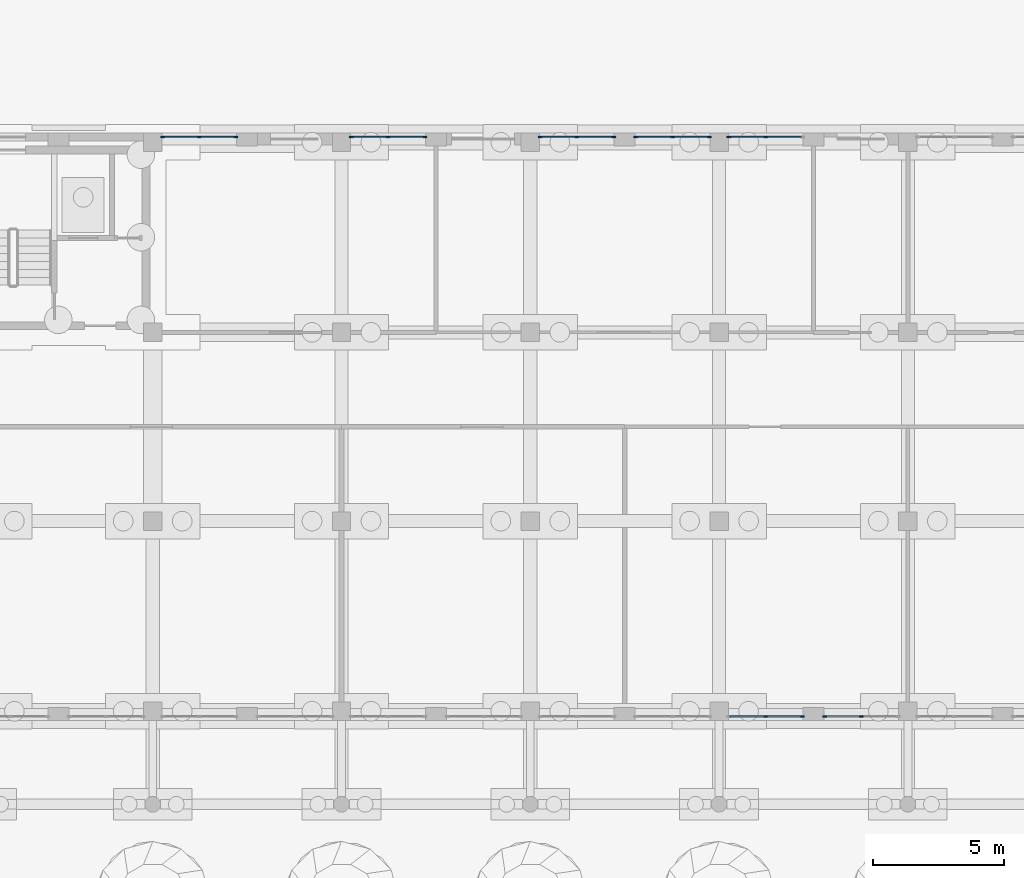
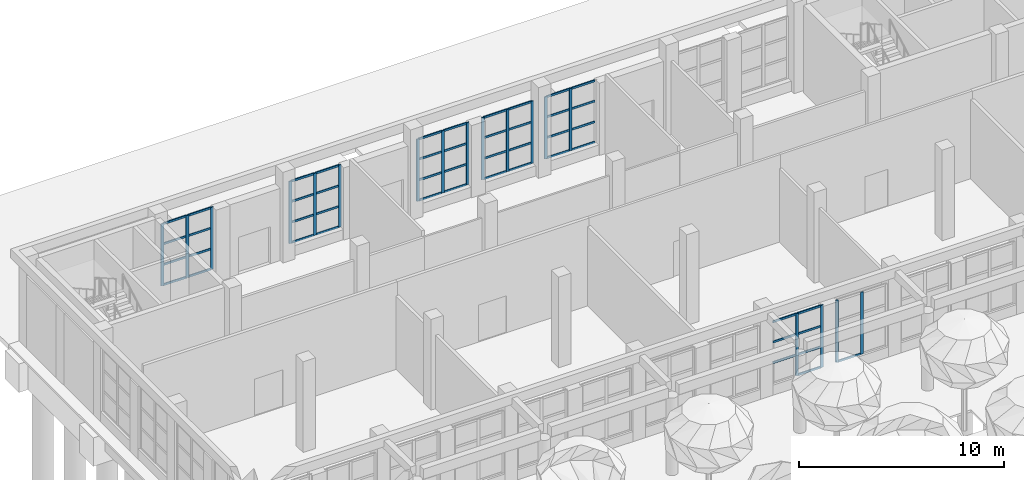
# One storey, part 23 of 80: 66 members, 7 elements without a shape of their own.
"""IFC4 building model written with IfcOpenShell, lengths in metres."""

from ifc_helpers import new_model, si_unit, direction, frame, origin, origin_2d, place, context, subcontext, project, spatial, rectangle, extrude, material, layer, layer_set, material_profile, profile_set, type_object, element, aggregate, save


model = new_model("IFC4")

# Units and contexts
model_context = context("Model", 3, precision=1e-05, world=origin(), true_north=direction((0.0, 1.0)))
body_context = subcontext(model_context, "Body", "Model", "MODEL_VIEW")
ifc_project = project(units=[si_unit("LENGTHUNIT", "METRE"), si_unit("AREAUNIT", "SQUARE_METRE"), si_unit("VOLUMEUNIT", "CUBIC_METRE"), si_unit("PLANEANGLEUNIT", "RADIAN"), si_unit("MASSUNIT", "GRAM", prefix="KILO")], contexts=[model_context])

# Site, building, storey
site_placement = place(None, origin())
site = spatial("IfcSite", under=ifc_project, at=site_placement, CompositionType="ELEMENT")
building_placement = place(site_placement, origin())
building = spatial("IfcBuilding", under=site, at=building_placement, Name="Ussher Court Research Institute", CompositionType="ELEMENT")
storey_placement = place(building_placement, origin())
storey = spatial("IfcBuildingStorey", under=building, at=storey_placement, Name="L00", CompositionType="ELEMENT", Elevation=0.0)

# Curtain wall, members
ifc_material_1 = material(Name="Bronze anodised aluminium with laminated safety glass", Category="aluminium")
ifc_layer = layer(ifc_material_1, 0.1201171875)
ifc_layer_set = layer_set([ifc_layer], Name="Bronze anodised aluminium with laminated safety glass")
curtain_wall_type = type_object("IfcCurtainWallType", Name="Curtain wall dry laboratory base storefront", PredefinedType="NOTDEFINED", material=ifc_layer_set)
curtain_wall_1_placement = place(storey_placement, origin())
curtain_wall_1 = element("IfcCurtainWall", 1, at=curtain_wall_1_placement, inside=storey, type_object=curtain_wall_type, Name="Curtain wall CW4 L00", PredefinedType="NOTDEFINED")
ifc_material_2 = material(Name="Bronze anodised aluminium", Category="aluminium")
ifc_material_profile_1 = material_profile(ifc_material_2, rectangle(XDim=0.06005859375, YDim=0.159912109375, at=origin_2d()), Name="Mullion 60x160")
ifc_profile_set_1 = profile_set([ifc_material_profile_1], Name="Bronze anodised aluminium")
member_type_1 = type_object("IfcMemberType", Name="Mullion 60x160", PredefinedType="MULLION", material=ifc_profile_set_1)
member_1_placement = place(storey_placement, frame((10.580078125, 90.64990234375, 0.60009765625), z_axis=(0.0, 0.0, 1.0), x_axis=(0.0, 1.0, 0.0)))
member_1 = element("IfcMember", 2, at=member_1_placement, type_object=member_type_1, Name="CW4 mullion 1", PredefinedType="MULLION", context=body_context, shape_type="SweptSolid", body=[
    extrude(rectangle(XDim=0.06005859375, YDim=0.159912109375, at=origin_2d()), origin(), (0.0, 0.0, 1.0), 3.699951171875),
])
member_2_placement = place(storey_placement, frame((11.97509765625, 90.64990234375, 0.60009765625), z_axis=(0.0, 0.0, 1.0), x_axis=(0.0, 1.0, 0.0)))
member_2 = element("IfcMember", 3, at=member_2_placement, type_object=member_type_1, Name="CW4 mullion 2", PredefinedType="MULLION", context=body_context, shape_type="SweptSolid", body=[
    extrude(rectangle(XDim=0.06005859375, YDim=0.159912109375, at=origin_2d()), origin(), (0.0, 0.0, 1.0), 3.699951171875),
])
member_3_placement = place(storey_placement, frame((13.3701171875, 90.64990234375, 0.60009765625), z_axis=(0.0, 0.0, 1.0), x_axis=(0.0, 1.0, 0.0)))
member_3 = element("IfcMember", 4, at=member_3_placement, type_object=member_type_1, Name="CW4 mullion 3", PredefinedType="MULLION", context=body_context, shape_type="SweptSolid", body=[
    extrude(rectangle(XDim=0.06005859375, YDim=0.159912109375, at=origin_2d()), origin(), (0.0, 0.0, 1.0), 3.699951171875),
])

curtain_wall_2_placement = place(storey_placement, origin())
curtain_wall_2 = element("IfcCurtainWall", 5, at=curtain_wall_2_placement, inside=storey, type_object=curtain_wall_type, Name="Curtain wall CW4 L00", PredefinedType="NOTDEFINED")
member_4_placement = place(storey_placement, frame((17.780029296875, 90.64990234375, 0.60009765625), z_axis=(0.0, 0.0, 1.0), x_axis=(0.0, 1.0, 0.0)))
member_4 = element("IfcMember", 6, at=member_4_placement, type_object=member_type_1, Name="CW4 mullion 1", PredefinedType="MULLION", context=body_context, shape_type="SweptSolid", body=[
    extrude(rectangle(XDim=0.06005859375, YDim=0.159912109375, at=origin_2d()), origin(), (0.0, 0.0, 1.0), 3.699951171875),
])
member_5_placement = place(storey_placement, frame((19.175048828125, 90.64990234375, 0.60009765625), z_axis=(0.0, 0.0, 1.0), x_axis=(0.0, 1.0, 0.0)))
member_5 = element("IfcMember", 7, at=member_5_placement, type_object=member_type_1, Name="CW4 mullion 2", PredefinedType="MULLION", context=body_context, shape_type="SweptSolid", body=[
    extrude(rectangle(XDim=0.06005859375, YDim=0.159912109375, at=origin_2d()), origin(), (0.0, 0.0, 1.0), 3.699951171875),
])
member_6_placement = place(storey_placement, frame((20.570068359375, 90.64990234375, 0.60009765625), z_axis=(0.0, 0.0, 1.0), x_axis=(0.0, 1.0, 0.0)))
member_6 = element("IfcMember", 8, at=member_6_placement, type_object=member_type_1, Name="CW4 mullion 3", PredefinedType="MULLION", context=body_context, shape_type="SweptSolid", body=[
    extrude(rectangle(XDim=0.06005859375, YDim=0.159912109375, at=origin_2d()), origin(), (0.0, 0.0, 1.0), 3.699951171875),
])

curtain_wall_3_placement = place(storey_placement, origin())
curtain_wall_3 = element("IfcCurtainWall", 9, at=curtain_wall_3_placement, inside=storey, type_object=curtain_wall_type, Name="Curtain wall CW4 L00", PredefinedType="NOTDEFINED")
member_7_placement = place(storey_placement, frame((24.97998046875, 90.64990234375, 0.60009765625), z_axis=(0.0, 0.0, 1.0), x_axis=(0.0, 1.0, 0.0)))
member_7 = element("IfcMember", 10, at=member_7_placement, type_object=member_type_1, Name="CW4 mullion 1", PredefinedType="MULLION", context=body_context, shape_type="SweptSolid", body=[
    extrude(rectangle(XDim=0.06005859375, YDim=0.159912109375, at=origin_2d()), origin(), (0.0, 0.0, 1.0), 3.699951171875),
])
member_8_placement = place(storey_placement, frame((26.375, 90.64990234375, 0.60009765625), z_axis=(0.0, 0.0, 1.0), x_axis=(0.0, 1.0, 0.0)))
member_8 = element("IfcMember", 11, at=member_8_placement, type_object=member_type_1, Name="CW4 mullion 2", PredefinedType="MULLION", context=body_context, shape_type="SweptSolid", body=[
    extrude(rectangle(XDim=0.06005859375, YDim=0.159912109375, at=origin_2d()), origin(), (0.0, 0.0, 1.0), 3.699951171875),
])
member_9_placement = place(storey_placement, frame((27.77001953125, 90.64990234375, 0.60009765625), z_axis=(0.0, 0.0, 1.0), x_axis=(0.0, 1.0, 0.0)))
member_9 = element("IfcMember", 12, at=member_9_placement, type_object=member_type_1, Name="CW4 mullion 3", PredefinedType="MULLION", context=body_context, shape_type="SweptSolid", body=[
    extrude(rectangle(XDim=0.06005859375, YDim=0.159912109375, at=origin_2d()), origin(), (0.0, 0.0, 1.0), 3.699951171875),
])

curtain_wall_4_placement = place(storey_placement, origin())
curtain_wall_4 = element("IfcCurtainWall", 13, at=curtain_wall_4_placement, inside=storey, type_object=curtain_wall_type, Name="Curtain wall CW4 L00", PredefinedType="NOTDEFINED")
member_10_placement = place(storey_placement, frame((28.6298828125, 90.64990234375, 0.60009765625), z_axis=(0.0, 0.0, 1.0), x_axis=(0.0, 1.0, 0.0)))
member_10 = element("IfcMember", 14, at=member_10_placement, type_object=member_type_1, Name="CW4 mullion 1", PredefinedType="MULLION", context=body_context, shape_type="SweptSolid", body=[
    extrude(rectangle(XDim=0.06005859375, YDim=0.159912109375, at=origin_2d()), origin(), (0.0, 0.0, 1.0), 3.699951171875),
])
member_11_placement = place(storey_placement, frame((30.02490234375, 90.64990234375, 0.60009765625), z_axis=(0.0, 0.0, 1.0), x_axis=(0.0, 1.0, 0.0)))
member_11 = element("IfcMember", 15, at=member_11_placement, type_object=member_type_1, Name="CW4 mullion 2", PredefinedType="MULLION", context=body_context, shape_type="SweptSolid", body=[
    extrude(rectangle(XDim=0.06005859375, YDim=0.159912109375, at=origin_2d()), origin(), (0.0, 0.0, 1.0), 3.699951171875),
])
member_12_placement = place(storey_placement, frame((31.419921875, 90.64990234375, 0.60009765625), z_axis=(0.0, 0.0, 1.0), x_axis=(0.0, 1.0, 0.0)))
member_12 = element("IfcMember", 16, at=member_12_placement, type_object=member_type_1, Name="CW4 mullion 3", PredefinedType="MULLION", context=body_context, shape_type="SweptSolid", body=[
    extrude(rectangle(XDim=0.06005859375, YDim=0.159912109375, at=origin_2d()), origin(), (0.0, 0.0, 1.0), 3.699951171875),
])

curtain_wall_5_placement = place(storey_placement, origin())
curtain_wall_5 = element("IfcCurtainWall", 17, at=curtain_wall_5_placement, inside=storey, type_object=curtain_wall_type, Name="Curtain wall CW4 L00", PredefinedType="NOTDEFINED")
member_13_placement = place(storey_placement, frame((32.179931640625, 90.64990234375, 0.60009765625), z_axis=(0.0, 0.0, 1.0), x_axis=(0.0, 1.0, 0.0)))
member_13 = element("IfcMember", 18, at=member_13_placement, type_object=member_type_1, Name="CW4 mullion 1", PredefinedType="MULLION", context=body_context, shape_type="SweptSolid", body=[
    extrude(rectangle(XDim=0.06005859375, YDim=0.159912109375, at=origin_2d()), origin(), (0.0, 0.0, 1.0), 3.699951171875),
])
member_14_placement = place(storey_placement, frame((33.574951171875, 90.64990234375, 0.60009765625), z_axis=(0.0, 0.0, 1.0), x_axis=(0.0, 1.0, 0.0)))
member_14 = element("IfcMember", 19, at=member_14_placement, type_object=member_type_1, Name="CW4 mullion 2", PredefinedType="MULLION", context=body_context, shape_type="SweptSolid", body=[
    extrude(rectangle(XDim=0.06005859375, YDim=0.159912109375, at=origin_2d()), origin(), (0.0, 0.0, 1.0), 3.699951171875),
])

curtain_wall_6_placement = place(storey_placement, origin())
curtain_wall_6 = element("IfcCurtainWall", 20, at=curtain_wall_6_placement, inside=storey, type_object=curtain_wall_type, Name="Curtain wall CW4 L00", PredefinedType="NOTDEFINED")
member_15_placement = place(storey_placement, frame((37.22509765625, 68.550048828125, 0.60009765625), z_axis=(0.0, 0.0, 1.0), x_axis=(0.0, -1.0, 0.0)))
member_15 = element("IfcMember", 21, at=member_15_placement, type_object=member_type_1, Name="CW4 mullion 2", PredefinedType="MULLION", context=body_context, shape_type="SweptSolid", body=[
    extrude(rectangle(XDim=0.06005859375, YDim=0.159912109375, at=origin_2d()), origin(), (0.0, 0.0, 1.0), 3.699951171875),
])
member_16_placement = place(storey_placement, frame((35.830078125, 68.550048828125, 0.60009765625), z_axis=(0.0, 0.0, 1.0), x_axis=(0.0, -1.0, 0.0)))
member_16 = element("IfcMember", 22, at=member_16_placement, type_object=member_type_1, Name="CW4 mullion 3", PredefinedType="MULLION", context=body_context, shape_type="SweptSolid", body=[
    extrude(rectangle(XDim=0.06005859375, YDim=0.159912109375, at=origin_2d()), origin(), (0.0, 0.0, 1.0), 3.699951171875),
])

curtain_wall_7_placement = place(storey_placement, origin())
curtain_wall_7 = element("IfcCurtainWall", 23, at=curtain_wall_7_placement, inside=storey, type_object=curtain_wall_type, Name="Curtain wall CW4 L00", PredefinedType="NOTDEFINED")
member_17_placement = place(storey_placement, frame((34.969970703125, 68.550048828125, 0.60009765625), z_axis=(0.0, 0.0, 1.0), x_axis=(0.0, -1.0, 0.0)))
member_17 = element("IfcMember", 24, at=member_17_placement, type_object=member_type_1, Name="CW4 mullion 1", PredefinedType="MULLION", context=body_context, shape_type="SweptSolid", body=[
    extrude(rectangle(XDim=0.06005859375, YDim=0.159912109375, at=origin_2d()), origin(), (0.0, 0.0, 1.0), 3.699951171875),
])
member_18_placement = place(storey_placement, frame((33.574951171875, 68.550048828125, 0.60009765625), z_axis=(0.0, 0.0, 1.0), x_axis=(0.0, -1.0, 0.0)))
member_18 = element("IfcMember", 25, at=member_18_placement, type_object=member_type_1, Name="CW4 mullion 2", PredefinedType="MULLION", context=body_context, shape_type="SweptSolid", body=[
    extrude(rectangle(XDim=0.06005859375, YDim=0.159912109375, at=origin_2d()), origin(), (0.0, 0.0, 1.0), 3.699951171875),
])

# Member
ifc_material_3 = material(Name="Bronze anodised aluminium", Category="aluminium")
ifc_material_profile_2 = material_profile(ifc_material_3, rectangle(XDim=0.06005859375, YDim=0.1201171875, at=origin_2d()), Name="Transom 60x120")
ifc_profile_set_2 = profile_set([ifc_material_profile_2], Name="Bronze anodised aluminium")
member_type_2 = type_object("IfcMemberType", Name="Transom 60x120", PredefinedType="USERDEFINED", material=ifc_profile_set_2)
member_19_placement = place(storey_placement, frame((10.610107421875, 90.64990234375, 0.6298828125), z_axis=(1.0, 0.0, 0.0), x_axis=(0.0, 1.0, 0.0)))
member_19 = element("IfcMember", 26, at=member_19_placement, type_object=member_type_2, Name="CW4 transom 1.1", ObjectType="TRANSOM", PredefinedType="USERDEFINED", context=body_context, shape_type="SweptSolid", body=[
    extrude(rectangle(XDim=0.06005859375, YDim=0.1201171875, at=origin_2d()), origin(), (0.0, 0.0, 1.0), 1.3349609375),
])

member_20_placement = place(storey_placement, frame((10.610107421875, 90.64990234375, 1.833251953125), z_axis=(1.0, 0.0, 0.0), x_axis=(0.0, 1.0, 0.0)))
member_20 = element("IfcMember", 27, at=member_20_placement, type_object=member_type_2, Name="CW4 transom 1.2", ObjectType="TRANSOM", PredefinedType="USERDEFINED", context=body_context, shape_type="SweptSolid", body=[
    extrude(rectangle(XDim=0.06005859375, YDim=0.1201171875, at=origin_2d()), origin(), (0.0, 0.0, 1.0), 1.3349609375),
])

member_21_placement = place(storey_placement, frame((10.610107421875, 90.64990234375, 3.066650390625), z_axis=(1.0, 0.0, 0.0), x_axis=(0.0, 1.0, 0.0)))
member_21 = element("IfcMember", 28, at=member_21_placement, type_object=member_type_2, Name="CW4 transom 1.3", ObjectType="TRANSOM", PredefinedType="USERDEFINED", context=body_context, shape_type="SweptSolid", body=[
    extrude(rectangle(XDim=0.06005859375, YDim=0.1201171875, at=origin_2d()), origin(), (0.0, 0.0, 1.0), 1.3349609375),
])

member_22_placement = place(storey_placement, frame((10.610107421875, 90.64990234375, 4.27001953125), z_axis=(1.0, 0.0, 0.0), x_axis=(0.0, 1.0, 0.0)))
member_22 = element("IfcMember", 29, at=member_22_placement, type_object=member_type_2, Name="CW4 transom 1.4", ObjectType="TRANSOM", PredefinedType="USERDEFINED", context=body_context, shape_type="SweptSolid", body=[
    extrude(rectangle(XDim=0.06005859375, YDim=0.1201171875, at=origin_2d()), origin(), (0.0, 0.0, 1.0), 1.3349609375),
])

member_23_placement = place(storey_placement, frame((12.0048828125, 90.64990234375, 0.6298828125), z_axis=(1.0, 0.0, 0.0), x_axis=(0.0, 1.0, 0.0)))
member_23 = element("IfcMember", 30, at=member_23_placement, type_object=member_type_2, Name="CW4 transom 2.1", ObjectType="TRANSOM", PredefinedType="USERDEFINED", context=body_context, shape_type="SweptSolid", body=[
    extrude(rectangle(XDim=0.06005859375, YDim=0.1201171875, at=origin_2d()), origin(), (0.0, 0.0, 1.0), 1.335205078125),
])

member_24_placement = place(storey_placement, frame((12.0048828125, 90.64990234375, 1.833251953125), z_axis=(1.0, 0.0, 0.0), x_axis=(0.0, 1.0, 0.0)))
member_24 = element("IfcMember", 31, at=member_24_placement, type_object=member_type_2, Name="CW4 transom 2.2", ObjectType="TRANSOM", PredefinedType="USERDEFINED", context=body_context, shape_type="SweptSolid", body=[
    extrude(rectangle(XDim=0.06005859375, YDim=0.1201171875, at=origin_2d()), origin(), (0.0, 0.0, 1.0), 1.335205078125),
])

member_25_placement = place(storey_placement, frame((12.0048828125, 90.64990234375, 3.066650390625), z_axis=(1.0, 0.0, 0.0), x_axis=(0.0, 1.0, 0.0)))
member_25 = element("IfcMember", 32, at=member_25_placement, type_object=member_type_2, Name="CW4 transom 2.3", ObjectType="TRANSOM", PredefinedType="USERDEFINED", context=body_context, shape_type="SweptSolid", body=[
    extrude(rectangle(XDim=0.06005859375, YDim=0.1201171875, at=origin_2d()), origin(), (0.0, 0.0, 1.0), 1.335205078125),
])

member_26_placement = place(storey_placement, frame((12.0048828125, 90.64990234375, 4.27001953125), z_axis=(1.0, 0.0, 0.0), x_axis=(0.0, 1.0, 0.0)))
member_26 = element("IfcMember", 33, at=member_26_placement, type_object=member_type_2, Name="CW4 transom 2.4", ObjectType="TRANSOM", PredefinedType="USERDEFINED", context=body_context, shape_type="SweptSolid", body=[
    extrude(rectangle(XDim=0.06005859375, YDim=0.1201171875, at=origin_2d()), origin(), (0.0, 0.0, 1.0), 1.335205078125),
])

aggregate(curtain_wall_1, [member_1, member_2, member_3, member_19, member_20, member_21, member_22, member_23, member_24, member_25, member_26])

member_27_placement = place(storey_placement, frame((17.81005859375, 90.64990234375, 0.6298828125), z_axis=(1.0, 0.0, 0.0), x_axis=(0.0, 1.0, 0.0)))
member_27 = element("IfcMember", 34, at=member_27_placement, type_object=member_type_2, Name="CW4 transom 1.1", ObjectType="TRANSOM", PredefinedType="USERDEFINED", context=body_context, shape_type="SweptSolid", body=[
    extrude(rectangle(XDim=0.06005859375, YDim=0.1201171875, at=origin_2d()), origin(), (0.0, 0.0, 1.0), 1.3349609375),
])

member_28_placement = place(storey_placement, frame((17.81005859375, 90.64990234375, 1.833251953125), z_axis=(1.0, 0.0, 0.0), x_axis=(0.0, 1.0, 0.0)))
member_28 = element("IfcMember", 35, at=member_28_placement, type_object=member_type_2, Name="CW4 transom 1.2", ObjectType="TRANSOM", PredefinedType="USERDEFINED", context=body_context, shape_type="SweptSolid", body=[
    extrude(rectangle(XDim=0.06005859375, YDim=0.1201171875, at=origin_2d()), origin(), (0.0, 0.0, 1.0), 1.3349609375),
])

member_29_placement = place(storey_placement, frame((17.81005859375, 90.64990234375, 3.066650390625), z_axis=(1.0, 0.0, 0.0), x_axis=(0.0, 1.0, 0.0)))
member_29 = element("IfcMember", 36, at=member_29_placement, type_object=member_type_2, Name="CW4 transom 1.3", ObjectType="TRANSOM", PredefinedType="USERDEFINED", context=body_context, shape_type="SweptSolid", body=[
    extrude(rectangle(XDim=0.06005859375, YDim=0.1201171875, at=origin_2d()), origin(), (0.0, 0.0, 1.0), 1.3349609375),
])

member_30_placement = place(storey_placement, frame((17.81005859375, 90.64990234375, 4.27001953125), z_axis=(1.0, 0.0, 0.0), x_axis=(0.0, 1.0, 0.0)))
member_30 = element("IfcMember", 37, at=member_30_placement, type_object=member_type_2, Name="CW4 transom 1.4", ObjectType="TRANSOM", PredefinedType="USERDEFINED", context=body_context, shape_type="SweptSolid", body=[
    extrude(rectangle(XDim=0.06005859375, YDim=0.1201171875, at=origin_2d()), origin(), (0.0, 0.0, 1.0), 1.3349609375),
])

member_31_placement = place(storey_placement, frame((19.205078125, 90.64990234375, 0.6298828125), z_axis=(1.0, 0.0, 0.0), x_axis=(0.0, 1.0, 0.0)))
member_31 = element("IfcMember", 38, at=member_31_placement, type_object=member_type_2, Name="CW4 transom 2.1", ObjectType="TRANSOM", PredefinedType="USERDEFINED", context=body_context, shape_type="SweptSolid", body=[
    extrude(rectangle(XDim=0.06005859375, YDim=0.1201171875, at=origin_2d()), origin(), (0.0, 0.0, 1.0), 1.3349609375),
])

member_32_placement = place(storey_placement, frame((19.205078125, 90.64990234375, 1.833251953125), z_axis=(1.0, 0.0, 0.0), x_axis=(0.0, 1.0, 0.0)))
member_32 = element("IfcMember", 39, at=member_32_placement, type_object=member_type_2, Name="CW4 transom 2.2", ObjectType="TRANSOM", PredefinedType="USERDEFINED", context=body_context, shape_type="SweptSolid", body=[
    extrude(rectangle(XDim=0.06005859375, YDim=0.1201171875, at=origin_2d()), origin(), (0.0, 0.0, 1.0), 1.3349609375),
])

member_33_placement = place(storey_placement, frame((19.205078125, 90.64990234375, 3.066650390625), z_axis=(1.0, 0.0, 0.0), x_axis=(0.0, 1.0, 0.0)))
member_33 = element("IfcMember", 40, at=member_33_placement, type_object=member_type_2, Name="CW4 transom 2.3", ObjectType="TRANSOM", PredefinedType="USERDEFINED", context=body_context, shape_type="SweptSolid", body=[
    extrude(rectangle(XDim=0.06005859375, YDim=0.1201171875, at=origin_2d()), origin(), (0.0, 0.0, 1.0), 1.3349609375),
])

member_34_placement = place(storey_placement, frame((19.205078125, 90.64990234375, 4.27001953125), z_axis=(1.0, 0.0, 0.0), x_axis=(0.0, 1.0, 0.0)))
member_34 = element("IfcMember", 41, at=member_34_placement, type_object=member_type_2, Name="CW4 transom 2.4", ObjectType="TRANSOM", PredefinedType="USERDEFINED", context=body_context, shape_type="SweptSolid", body=[
    extrude(rectangle(XDim=0.06005859375, YDim=0.1201171875, at=origin_2d()), origin(), (0.0, 0.0, 1.0), 1.3349609375),
])

aggregate(curtain_wall_2, [member_4, member_5, member_6, member_27, member_28, member_29, member_30, member_31, member_32, member_33, member_34])

member_35_placement = place(storey_placement, frame((25.010009765625, 90.64990234375, 0.6298828125), z_axis=(1.0, 0.0, 0.0), x_axis=(0.0, 1.0, 0.0)))
member_35 = element("IfcMember", 42, at=member_35_placement, type_object=member_type_2, Name="CW4 transom 1.1", ObjectType="TRANSOM", PredefinedType="USERDEFINED", context=body_context, shape_type="SweptSolid", body=[
    extrude(rectangle(XDim=0.06005859375, YDim=0.1201171875, at=origin_2d()), origin(), (0.0, 0.0, 1.0), 1.3349609375),
])

member_36_placement = place(storey_placement, frame((25.010009765625, 90.64990234375, 1.833251953125), z_axis=(1.0, 0.0, 0.0), x_axis=(0.0, 1.0, 0.0)))
member_36 = element("IfcMember", 43, at=member_36_placement, type_object=member_type_2, Name="CW4 transom 1.2", ObjectType="TRANSOM", PredefinedType="USERDEFINED", context=body_context, shape_type="SweptSolid", body=[
    extrude(rectangle(XDim=0.06005859375, YDim=0.1201171875, at=origin_2d()), origin(), (0.0, 0.0, 1.0), 1.3349609375),
])

member_37_placement = place(storey_placement, frame((25.010009765625, 90.64990234375, 3.066650390625), z_axis=(1.0, 0.0, 0.0), x_axis=(0.0, 1.0, 0.0)))
member_37 = element("IfcMember", 44, at=member_37_placement, type_object=member_type_2, Name="CW4 transom 1.3", ObjectType="TRANSOM", PredefinedType="USERDEFINED", context=body_context, shape_type="SweptSolid", body=[
    extrude(rectangle(XDim=0.06005859375, YDim=0.1201171875, at=origin_2d()), origin(), (0.0, 0.0, 1.0), 1.3349609375),
])

member_38_placement = place(storey_placement, frame((25.010009765625, 90.64990234375, 4.27001953125), z_axis=(1.0, 0.0, 0.0), x_axis=(0.0, 1.0, 0.0)))
member_38 = element("IfcMember", 45, at=member_38_placement, type_object=member_type_2, Name="CW4 transom 1.4", ObjectType="TRANSOM", PredefinedType="USERDEFINED", context=body_context, shape_type="SweptSolid", body=[
    extrude(rectangle(XDim=0.06005859375, YDim=0.1201171875, at=origin_2d()), origin(), (0.0, 0.0, 1.0), 1.3349609375),
])

member_39_placement = place(storey_placement, frame((26.405029296875, 90.64990234375, 0.6298828125), z_axis=(1.0, 0.0, 0.0), x_axis=(0.0, 1.0, 0.0)))
member_39 = element("IfcMember", 46, at=member_39_placement, type_object=member_type_2, Name="CW4 transom 2.1", ObjectType="TRANSOM", PredefinedType="USERDEFINED", context=body_context, shape_type="SweptSolid", body=[
    extrude(rectangle(XDim=0.06005859375, YDim=0.1201171875, at=origin_2d()), origin(), (0.0, 0.0, 1.0), 1.3349609375),
])

member_40_placement = place(storey_placement, frame((26.405029296875, 90.64990234375, 1.833251953125), z_axis=(1.0, 0.0, 0.0), x_axis=(0.0, 1.0, 0.0)))
member_40 = element("IfcMember", 47, at=member_40_placement, type_object=member_type_2, Name="CW4 transom 2.2", ObjectType="TRANSOM", PredefinedType="USERDEFINED", context=body_context, shape_type="SweptSolid", body=[
    extrude(rectangle(XDim=0.06005859375, YDim=0.1201171875, at=origin_2d()), origin(), (0.0, 0.0, 1.0), 1.3349609375),
])

member_41_placement = place(storey_placement, frame((26.405029296875, 90.64990234375, 3.066650390625), z_axis=(1.0, 0.0, 0.0), x_axis=(0.0, 1.0, 0.0)))
member_41 = element("IfcMember", 48, at=member_41_placement, type_object=member_type_2, Name="CW4 transom 2.3", ObjectType="TRANSOM", PredefinedType="USERDEFINED", context=body_context, shape_type="SweptSolid", body=[
    extrude(rectangle(XDim=0.06005859375, YDim=0.1201171875, at=origin_2d()), origin(), (0.0, 0.0, 1.0), 1.3349609375),
])

member_42_placement = place(storey_placement, frame((26.405029296875, 90.64990234375, 4.27001953125), z_axis=(1.0, 0.0, 0.0), x_axis=(0.0, 1.0, 0.0)))
member_42 = element("IfcMember", 49, at=member_42_placement, type_object=member_type_2, Name="CW4 transom 2.4", ObjectType="TRANSOM", PredefinedType="USERDEFINED", context=body_context, shape_type="SweptSolid", body=[
    extrude(rectangle(XDim=0.06005859375, YDim=0.1201171875, at=origin_2d()), origin(), (0.0, 0.0, 1.0), 1.3349609375),
])

aggregate(curtain_wall_3, [member_7, member_8, member_9, member_35, member_36, member_37, member_38, member_39, member_40, member_41, member_42])

member_43_placement = place(storey_placement, frame((28.659912109375, 90.64990234375, 0.6298828125), z_axis=(1.0, 0.0, 0.0), x_axis=(0.0, 1.0, 0.0)))
member_43 = element("IfcMember", 50, at=member_43_placement, type_object=member_type_2, Name="CW4 transom 1.1", ObjectType="TRANSOM", PredefinedType="USERDEFINED", context=body_context, shape_type="SweptSolid", body=[
    extrude(rectangle(XDim=0.06005859375, YDim=0.1201171875, at=origin_2d()), origin(), (0.0, 0.0, 1.0), 1.335205078125),
])

member_44_placement = place(storey_placement, frame((28.659912109375, 90.64990234375, 1.833251953125), z_axis=(1.0, 0.0, 0.0), x_axis=(0.0, 1.0, 0.0)))
member_44 = element("IfcMember", 51, at=member_44_placement, type_object=member_type_2, Name="CW4 transom 1.2", ObjectType="TRANSOM", PredefinedType="USERDEFINED", context=body_context, shape_type="SweptSolid", body=[
    extrude(rectangle(XDim=0.06005859375, YDim=0.1201171875, at=origin_2d()), origin(), (0.0, 0.0, 1.0), 1.335205078125),
])

member_45_placement = place(storey_placement, frame((28.659912109375, 90.64990234375, 3.066650390625), z_axis=(1.0, 0.0, 0.0), x_axis=(0.0, 1.0, 0.0)))
member_45 = element("IfcMember", 52, at=member_45_placement, type_object=member_type_2, Name="CW4 transom 1.3", ObjectType="TRANSOM", PredefinedType="USERDEFINED", context=body_context, shape_type="SweptSolid", body=[
    extrude(rectangle(XDim=0.06005859375, YDim=0.1201171875, at=origin_2d()), origin(), (0.0, 0.0, 1.0), 1.335205078125),
])

member_46_placement = place(storey_placement, frame((28.659912109375, 90.64990234375, 4.27001953125), z_axis=(1.0, 0.0, 0.0), x_axis=(0.0, 1.0, 0.0)))
member_46 = element("IfcMember", 53, at=member_46_placement, type_object=member_type_2, Name="CW4 transom 1.4", ObjectType="TRANSOM", PredefinedType="USERDEFINED", context=body_context, shape_type="SweptSolid", body=[
    extrude(rectangle(XDim=0.06005859375, YDim=0.1201171875, at=origin_2d()), origin(), (0.0, 0.0, 1.0), 1.335205078125),
])

member_47_placement = place(storey_placement, frame((30.054931640625, 90.64990234375, 0.6298828125), z_axis=(1.0, 0.0, 0.0), x_axis=(0.0, 1.0, 0.0)))
member_47 = element("IfcMember", 54, at=member_47_placement, type_object=member_type_2, Name="CW4 transom 2.1", ObjectType="TRANSOM", PredefinedType="USERDEFINED", context=body_context, shape_type="SweptSolid", body=[
    extrude(rectangle(XDim=0.06005859375, YDim=0.1201171875, at=origin_2d()), origin(), (0.0, 0.0, 1.0), 1.3349609375),
])

member_48_placement = place(storey_placement, frame((30.054931640625, 90.64990234375, 1.833251953125), z_axis=(1.0, 0.0, 0.0), x_axis=(0.0, 1.0, 0.0)))
member_48 = element("IfcMember", 55, at=member_48_placement, type_object=member_type_2, Name="CW4 transom 2.2", ObjectType="TRANSOM", PredefinedType="USERDEFINED", context=body_context, shape_type="SweptSolid", body=[
    extrude(rectangle(XDim=0.06005859375, YDim=0.1201171875, at=origin_2d()), origin(), (0.0, 0.0, 1.0), 1.3349609375),
])

member_49_placement = place(storey_placement, frame((30.054931640625, 90.64990234375, 3.066650390625), z_axis=(1.0, 0.0, 0.0), x_axis=(0.0, 1.0, 0.0)))
member_49 = element("IfcMember", 56, at=member_49_placement, type_object=member_type_2, Name="CW4 transom 2.3", ObjectType="TRANSOM", PredefinedType="USERDEFINED", context=body_context, shape_type="SweptSolid", body=[
    extrude(rectangle(XDim=0.06005859375, YDim=0.1201171875, at=origin_2d()), origin(), (0.0, 0.0, 1.0), 1.3349609375),
])

member_50_placement = place(storey_placement, frame((30.054931640625, 90.64990234375, 4.27001953125), z_axis=(1.0, 0.0, 0.0), x_axis=(0.0, 1.0, 0.0)))
member_50 = element("IfcMember", 57, at=member_50_placement, type_object=member_type_2, Name="CW4 transom 2.4", ObjectType="TRANSOM", PredefinedType="USERDEFINED", context=body_context, shape_type="SweptSolid", body=[
    extrude(rectangle(XDim=0.06005859375, YDim=0.1201171875, at=origin_2d()), origin(), (0.0, 0.0, 1.0), 1.3349609375),
])

aggregate(curtain_wall_4, [member_10, member_11, member_12, member_43, member_44, member_45, member_46, member_47, member_48, member_49, member_50])

member_51_placement = place(storey_placement, frame((32.2099609375, 90.64990234375, 0.6298828125), z_axis=(1.0, 0.0, 0.0), x_axis=(0.0, 1.0, 0.0)))
member_51 = element("IfcMember", 58, at=member_51_placement, type_object=member_type_2, Name="CW4 transom 1.1", ObjectType="TRANSOM", PredefinedType="USERDEFINED", context=body_context, shape_type="SweptSolid", body=[
    extrude(rectangle(XDim=0.06005859375, YDim=0.1201171875, at=origin_2d()), origin(), (0.0, 0.0, 1.0), 1.3349609375),
])

member_52_placement = place(storey_placement, frame((32.2099609375, 90.64990234375, 1.833251953125), z_axis=(1.0, 0.0, 0.0), x_axis=(0.0, 1.0, 0.0)))
member_52 = element("IfcMember", 59, at=member_52_placement, type_object=member_type_2, Name="CW4 transom 1.2", ObjectType="TRANSOM", PredefinedType="USERDEFINED", context=body_context, shape_type="SweptSolid", body=[
    extrude(rectangle(XDim=0.06005859375, YDim=0.1201171875, at=origin_2d()), origin(), (0.0, 0.0, 1.0), 1.3349609375),
])

member_53_placement = place(storey_placement, frame((32.2099609375, 90.64990234375, 3.066650390625), z_axis=(1.0, 0.0, 0.0), x_axis=(0.0, 1.0, 0.0)))
member_53 = element("IfcMember", 60, at=member_53_placement, type_object=member_type_2, Name="CW4 transom 1.3", ObjectType="TRANSOM", PredefinedType="USERDEFINED", context=body_context, shape_type="SweptSolid", body=[
    extrude(rectangle(XDim=0.06005859375, YDim=0.1201171875, at=origin_2d()), origin(), (0.0, 0.0, 1.0), 1.3349609375),
])

member_54_placement = place(storey_placement, frame((32.2099609375, 90.64990234375, 4.27001953125), z_axis=(1.0, 0.0, 0.0), x_axis=(0.0, 1.0, 0.0)))
member_54 = element("IfcMember", 61, at=member_54_placement, type_object=member_type_2, Name="CW4 transom 1.4", ObjectType="TRANSOM", PredefinedType="USERDEFINED", context=body_context, shape_type="SweptSolid", body=[
    extrude(rectangle(XDim=0.06005859375, YDim=0.1201171875, at=origin_2d()), origin(), (0.0, 0.0, 1.0), 1.3349609375),
])

member_55_placement = place(storey_placement, frame((33.60498046875, 90.64990234375, 0.6298828125), z_axis=(1.0, 0.0, 0.0), x_axis=(0.0, 1.0, 0.0)))
member_55 = element("IfcMember", 62, at=member_55_placement, type_object=member_type_2, Name="CW4 transom 2.1", ObjectType="TRANSOM", PredefinedType="USERDEFINED", context=body_context, shape_type="SweptSolid", body=[
    extrude(rectangle(XDim=0.06005859375, YDim=0.1201171875, at=origin_2d()), origin(), (0.0, 0.0, 1.0), 1.3349609375),
])

member_56_placement = place(storey_placement, frame((33.60498046875, 90.64990234375, 1.833251953125), z_axis=(1.0, 0.0, 0.0), x_axis=(0.0, 1.0, 0.0)))
member_56 = element("IfcMember", 63, at=member_56_placement, type_object=member_type_2, Name="CW4 transom 2.2", ObjectType="TRANSOM", PredefinedType="USERDEFINED", context=body_context, shape_type="SweptSolid", body=[
    extrude(rectangle(XDim=0.06005859375, YDim=0.1201171875, at=origin_2d()), origin(), (0.0, 0.0, 1.0), 1.3349609375),
])

member_57_placement = place(storey_placement, frame((33.60498046875, 90.64990234375, 3.066650390625), z_axis=(1.0, 0.0, 0.0), x_axis=(0.0, 1.0, 0.0)))
member_57 = element("IfcMember", 64, at=member_57_placement, type_object=member_type_2, Name="CW4 transom 2.3", ObjectType="TRANSOM", PredefinedType="USERDEFINED", context=body_context, shape_type="SweptSolid", body=[
    extrude(rectangle(XDim=0.06005859375, YDim=0.1201171875, at=origin_2d()), origin(), (0.0, 0.0, 1.0), 1.3349609375),
])

member_58_placement = place(storey_placement, frame((33.60498046875, 90.64990234375, 4.27001953125), z_axis=(1.0, 0.0, 0.0), x_axis=(0.0, 1.0, 0.0)))
member_58 = element("IfcMember", 65, at=member_58_placement, type_object=member_type_2, Name="CW4 transom 2.4", ObjectType="TRANSOM", PredefinedType="USERDEFINED", context=body_context, shape_type="SweptSolid", body=[
    extrude(rectangle(XDim=0.06005859375, YDim=0.1201171875, at=origin_2d()), origin(), (0.0, 0.0, 1.0), 1.3349609375),
])

aggregate(curtain_wall_5, [member_13, member_14, member_51, member_52, member_53, member_54, member_55, member_56, member_57, member_58])

member_59_placement = place(storey_placement, frame((37.195068359375, 68.550048828125, 0.6298828125), z_axis=(-1.0, 0.0, 0.0), x_axis=(0.0, -1.0, 0.0)))
member_59 = element("IfcMember", 66, at=member_59_placement, type_object=member_type_2, Name="CW4 transom 2.1", ObjectType="TRANSOM", PredefinedType="USERDEFINED", context=body_context, shape_type="SweptSolid", body=[
    extrude(rectangle(XDim=0.06005859375, YDim=0.1201171875, at=origin_2d()), origin(), (0.0, 0.0, 1.0), 1.3349609375),
])

aggregate(curtain_wall_6, [member_15, member_16, member_59])

member_60_placement = place(storey_placement, frame((34.93994140625, 68.550048828125, 0.6298828125), z_axis=(-1.0, 0.0, 0.0), x_axis=(0.0, -1.0, 0.0)))
member_60 = element("IfcMember", 67, at=member_60_placement, type_object=member_type_2, Name="CW4 transom 1.1", ObjectType="TRANSOM", PredefinedType="USERDEFINED", context=body_context, shape_type="SweptSolid", body=[
    extrude(rectangle(XDim=0.06005859375, YDim=0.1201171875, at=origin_2d()), origin(), (0.0, 0.0, 1.0), 1.3349609375),
])

member_61_placement = place(storey_placement, frame((34.93994140625, 68.550048828125, 1.833251953125), z_axis=(-1.0, 0.0, 0.0), x_axis=(0.0, -1.0, 0.0)))
member_61 = element("IfcMember", 68, at=member_61_placement, type_object=member_type_2, Name="CW4 transom 1.2", ObjectType="TRANSOM", PredefinedType="USERDEFINED", context=body_context, shape_type="SweptSolid", body=[
    extrude(rectangle(XDim=0.06005859375, YDim=0.1201171875, at=origin_2d()), origin(), (0.0, 0.0, 1.0), 1.3349609375),
])

member_62_placement = place(storey_placement, frame((34.93994140625, 68.550048828125, 3.066650390625), z_axis=(-1.0, 0.0, 0.0), x_axis=(0.0, -1.0, 0.0)))
member_62 = element("IfcMember", 69, at=member_62_placement, type_object=member_type_2, Name="CW4 transom 1.3", ObjectType="TRANSOM", PredefinedType="USERDEFINED", context=body_context, shape_type="SweptSolid", body=[
    extrude(rectangle(XDim=0.06005859375, YDim=0.1201171875, at=origin_2d()), origin(), (0.0, 0.0, 1.0), 1.3349609375),
])

member_63_placement = place(storey_placement, frame((34.93994140625, 68.550048828125, 4.27001953125), z_axis=(-1.0, 0.0, 0.0), x_axis=(0.0, -1.0, 0.0)))
member_63 = element("IfcMember", 70, at=member_63_placement, type_object=member_type_2, Name="CW4 transom 1.4", ObjectType="TRANSOM", PredefinedType="USERDEFINED", context=body_context, shape_type="SweptSolid", body=[
    extrude(rectangle(XDim=0.06005859375, YDim=0.1201171875, at=origin_2d()), origin(), (0.0, 0.0, 1.0), 1.3349609375),
])

member_64_placement = place(storey_placement, frame((33.544921875, 68.550048828125, 1.833251953125), z_axis=(-1.0, 0.0, 0.0), x_axis=(0.0, -1.0, 0.0)))
member_64 = element("IfcMember", 71, at=member_64_placement, type_object=member_type_2, Name="CW4 transom 2.2", ObjectType="TRANSOM", PredefinedType="USERDEFINED", context=body_context, shape_type="SweptSolid", body=[
    extrude(rectangle(XDim=0.06005859375, YDim=0.1201171875, at=origin_2d()), origin(), (0.0, 0.0, 1.0), 1.3349609375),
])

member_65_placement = place(storey_placement, frame((33.544921875, 68.550048828125, 3.066650390625), z_axis=(-1.0, 0.0, 0.0), x_axis=(0.0, -1.0, 0.0)))
member_65 = element("IfcMember", 72, at=member_65_placement, type_object=member_type_2, Name="CW4 transom 2.3", ObjectType="TRANSOM", PredefinedType="USERDEFINED", context=body_context, shape_type="SweptSolid", body=[
    extrude(rectangle(XDim=0.06005859375, YDim=0.1201171875, at=origin_2d()), origin(), (0.0, 0.0, 1.0), 1.3349609375),
])

member_66_placement = place(storey_placement, frame((33.544921875, 68.550048828125, 4.27001953125), z_axis=(-1.0, 0.0, 0.0), x_axis=(0.0, -1.0, 0.0)))
member_66 = element("IfcMember", 73, at=member_66_placement, type_object=member_type_2, Name="CW4 transom 2.4", ObjectType="TRANSOM", PredefinedType="USERDEFINED", context=body_context, shape_type="SweptSolid", body=[
    extrude(rectangle(XDim=0.06005859375, YDim=0.1201171875, at=origin_2d()), origin(), (0.0, 0.0, 1.0), 1.3349609375),
])

aggregate(curtain_wall_7, [member_17, member_18, member_60, member_61, member_62, member_63, member_64, member_65, member_66])

save(model, "model.ifc")
